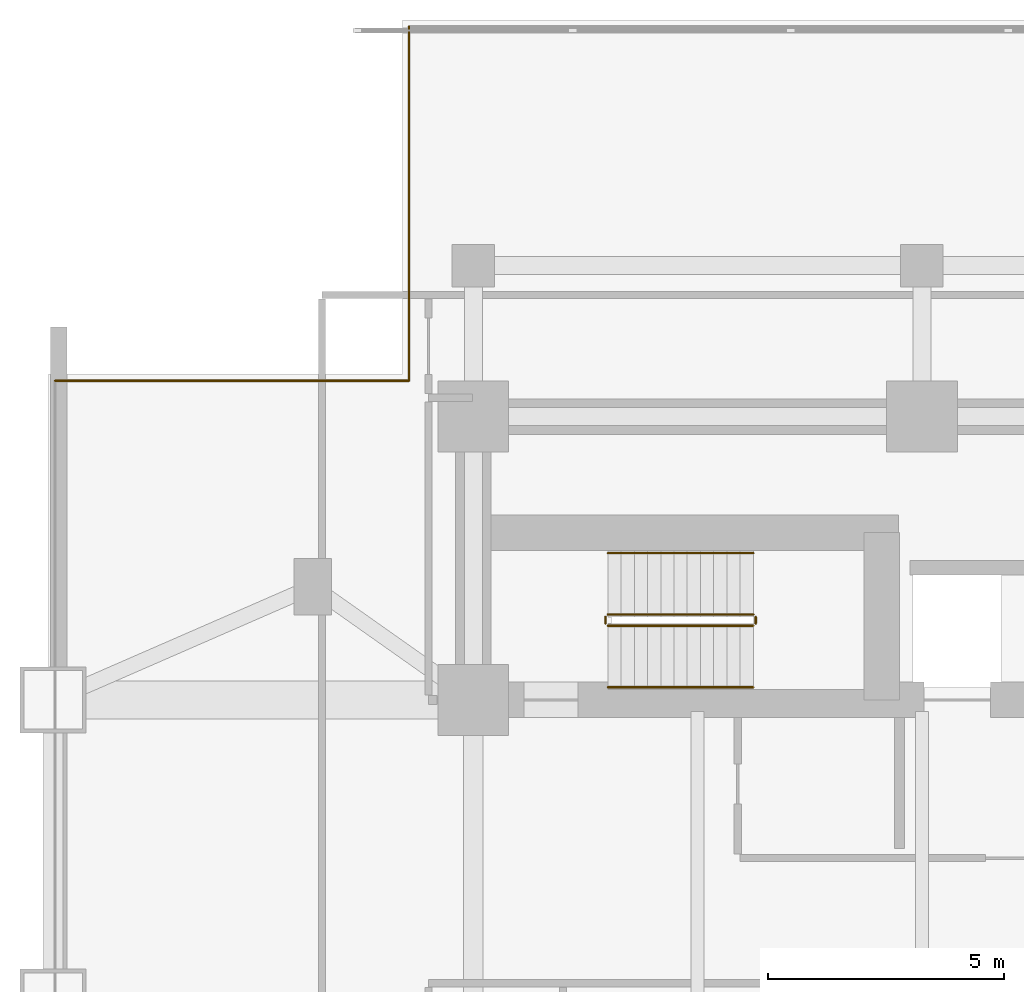
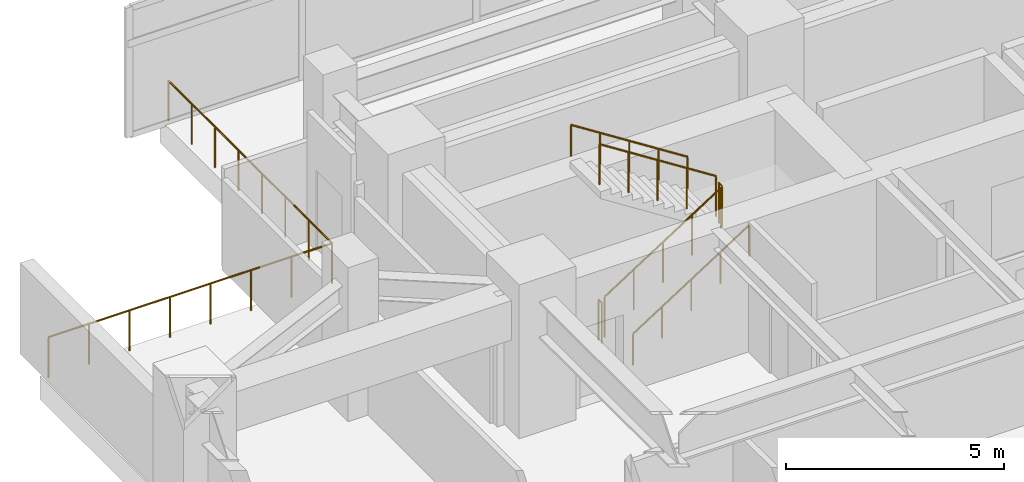
# One storey, part 23 of 27: 8 railings.
"""IFC4 building model written with IfcOpenShell, lengths in metres."""

from ifc_helpers import new_model, si_unit, direction, frame, origin, origin_2d, place, context, subcontext, project, spatial, circle, extrude, material, type_object, element, save


model = new_model("IFC4")

# Units and contexts
model_context = context("Model", 3, precision=1e-05, world=origin(), true_north=direction((0.0, 1.0)))
body_context = subcontext(model_context, "Body", "Model", "MODEL_VIEW")
ifc_project = project(units=[si_unit("LENGTHUNIT", "METRE"), si_unit("AREAUNIT", "SQUARE_METRE"), si_unit("VOLUMEUNIT", "CUBIC_METRE"), si_unit("PLANEANGLEUNIT", "RADIAN"), si_unit("MASSUNIT", "GRAM", prefix="KILO")], contexts=[model_context])

# Site, building, storey
site_placement = place(None, origin())
site = spatial("IfcSite", under=ifc_project, at=site_placement, CompositionType="ELEMENT")
building_placement = place(site_placement, origin())
building = spatial("IfcBuilding", under=site, at=building_placement, Name="Mirazonda Arch Towers", CompositionType="ELEMENT")
storey_placement = place(building_placement, frame((0.0, 0.0, 18.10009765625)))
storey = spatial("IfcBuildingStorey", under=building, at=storey_placement, Name="L04", CompositionType="ELEMENT", Elevation=18.10009765625)

# Railings
ifc_material = material(Name="Architectural Brushed Steel S355", Category="steel")
railing_type_1 = type_object("IfcRailingType", Name="GUARD-EXT-1150", PredefinedType="GUARDRAIL", material=ifc_material)
railing_1_placement = place(storey_placement, frame((9.639892578125, 51.860107421875, 0.0)))
element("IfcRailing", 1, at=railing_1_placement, inside=storey, type_object=railing_type_1, Name="L04 L04 Bridged Podium Perimeter Guard 08", PredefinedType="GUARDRAIL", context=body_context, shape_type="SweptSolid", body=[
    extrude(circle(Radius=0.02392578125, at=origin_2d()), frame((0.0, 0.0, 1.1259765625), z_axis=(0.0, -1.0, 0.0), x_axis=(1.0, 0.0, 0.0)), (0.0, 0.0, 1.0), 7.5),
    extrude(circle(Radius=0.02099609375, at=origin_2d()), origin(), (0.0, 0.0, 1.0), 1.101806640625),
    extrude(circle(Radius=0.02099609375, at=origin_2d()), frame((0.0, -1.071533203125, 0.0)), (0.0, 0.0, 1.0), 1.101806640625),
    extrude(circle(Radius=0.02099609375, at=origin_2d()), frame((0.0, -2.142822265625, 0.0)), (0.0, 0.0, 1.0), 1.101806640625),
    extrude(circle(Radius=0.02099609375, at=origin_2d()), frame((0.0, -3.21435546875, 0.0)), (0.0, 0.0, 1.0), 1.101806640625),
    extrude(circle(Radius=0.02099609375, at=origin_2d()), frame((0.0, -4.28564453125, 0.0)), (0.0, 0.0, 1.0), 1.101806640625),
    extrude(circle(Radius=0.02099609375, at=origin_2d()), frame((0.0, -5.357177734375, 0.0)), (0.0, 0.0, 1.0), 1.101806640625),
    extrude(circle(Radius=0.02099609375, at=origin_2d()), frame((0.0, -6.428466796875, 0.0)), (0.0, 0.0, 1.0), 1.101806640625),
    extrude(circle(Radius=0.02099609375, at=origin_2d()), frame((0.0, -7.5, 0.0)), (0.0, 0.0, 1.0), 1.101806640625),
])
railing_2_placement = place(storey_placement, frame((9.639892578125, 44.360107421875, 0.0)))
element("IfcRailing", 2, at=railing_2_placement, inside=storey, type_object=railing_type_1, Name="L04 L04 Bridged Podium Perimeter Guard 09", PredefinedType="GUARDRAIL", context=body_context, shape_type="SweptSolid", body=[
    extrude(circle(Radius=0.02392578125, at=origin_2d()), frame((0.0, 0.0, 1.1259765625), z_axis=(-1.0, 0.0, 0.0), x_axis=(0.0, -1.0, 0.0)), (0.0, 0.0, 1.0), 7.5),
    extrude(circle(Radius=0.02099609375, at=origin_2d()), origin(), (0.0, 0.0, 1.0), 1.101806640625),
    extrude(circle(Radius=0.02099609375, at=origin_2d()), frame((-1.071533203125, 0.0, 0.0)), (0.0, 0.0, 1.0), 1.101806640625),
    extrude(circle(Radius=0.02099609375, at=origin_2d()), frame((-2.142822265625, 0.0, 0.0)), (0.0, 0.0, 1.0), 1.101806640625),
    extrude(circle(Radius=0.02099609375, at=origin_2d()), frame((-3.21435546875, 0.0, 0.0)), (0.0, 0.0, 1.0), 1.101806640625),
    extrude(circle(Radius=0.02099609375, at=origin_2d()), frame((-4.28564453125, 0.0, 0.0)), (0.0, 0.0, 1.0), 1.101806640625),
    extrude(circle(Radius=0.02099609375, at=origin_2d()), frame((-5.357177734375, 0.0, 0.0)), (0.0, 0.0, 1.0), 1.101806640625),
    extrude(circle(Radius=0.02099609375, at=origin_2d()), frame((-6.428466796875, 0.0, 0.0)), (0.0, 0.0, 1.0), 1.101806640625),
    extrude(circle(Radius=0.02099609375, at=origin_2d()), frame((-7.5, 0.0, 0.0)), (0.0, 0.0, 1.0), 1.101806640625),
])
railing_type_2 = type_object("IfcRailingType", Name="GUARD-STAIR-1120", PredefinedType="GUARDRAIL", material=ifc_material)
railing_3_placement = place(storey_placement, frame((13.85009765625, 39.169921875, 0.178955078125)))
element("IfcRailing", 3, at=railing_3_placement, inside=storey, type_object=railing_type_2, Name="L04 ST-T1N stair guard 1", PredefinedType="GUARDRAIL", context=body_context, shape_type="SweptSolid", body=[
    extrude(circle(Radius=0.02392578125, at=origin_2d()), frame((0.0, 0.0, 1.1259765625), z_axis=(0.842289589211, 0.0, 0.539025275759), x_axis=(0.0, 1.0, 0.0)), (0.0, 0.0, 1.0), 3.656494140625),
    extrude(circle(Radius=0.02099609375, at=origin_2d()), origin(), (0.0, 0.0, 1.0), 1.101806640625),
    extrude(circle(Radius=0.02099609375, at=origin_2d()), frame((0.77001953125, 0.0, 0.49267578125)), (0.0, 0.0, 1.0), 1.101806640625),
    extrude(circle(Radius=0.02099609375, at=origin_2d()), frame((1.5400390625, 0.0, 0.9853515625)), (0.0, 0.0, 1.0), 1.101806640625),
    extrude(circle(Radius=0.02099609375, at=origin_2d()), frame((2.309814453125, 0.0, 1.478271484375)), (0.0, 0.0, 1.0), 1.101806640625),
    extrude(circle(Radius=0.02099609375, at=origin_2d()), frame((3.079833984375, 0.0, 1.970947265625)), (0.0, 0.0, 1.0), 1.101806640625),
])
railing_4_placement = place(storey_placement, frame((16.97998046875, 39.219970703125, 2.14990234375)))
element("IfcRailing", 4, at=railing_4_placement, inside=storey, type_object=railing_type_2, Name="L04 ST-T1N stair guard 2", PredefinedType="GUARDRAIL", context=body_context, shape_type="SweptSolid", body=[
    extrude(circle(Radius=0.02392578125, at=origin_2d()), frame((0.0, 0.0, 1.1259765625), z_axis=(0.0, 1.0, 0.0), x_axis=(-1.0, 0.0, 0.0)), (0.0, 0.0, 1.0), 0.14013671875),
    extrude(circle(Radius=0.02099609375, at=origin_2d()), origin(), (0.0, 0.0, 1.0), 1.101806640625),
    extrude(circle(Radius=0.02099609375, at=origin_2d()), frame((0.0, 0.14013671875, 0.0)), (0.0, 0.0, 1.0), 1.101806640625),
])
railing_5_placement = place(storey_placement, frame((16.929931640625, 39.409912109375, 2.3291015625)))
element("IfcRailing", 5, at=railing_5_placement, inside=storey, type_object=railing_type_2, Name="L04 ST-T1N stair guard 3", PredefinedType="GUARDRAIL", context=body_context, shape_type="SweptSolid", body=[
    extrude(circle(Radius=0.02392578125, at=origin_2d()), frame((0.0, 0.0, 1.1259765625), z_axis=(-0.842319903074, 0.0, 0.538977903893), x_axis=(0.0, -1.0, 0.0)), (0.0, 0.0, 1.0), 3.65625),
    extrude(circle(Radius=0.02099609375, at=origin_2d()), origin(), (0.0, 0.0, 1.0), 1.101806640625),
    extrude(circle(Radius=0.02099609375, at=origin_2d()), frame((-0.77001953125, 0.0, 0.49267578125)), (0.0, 0.0, 1.0), 1.101806640625),
    extrude(circle(Radius=0.02099609375, at=origin_2d()), frame((-1.5400390625, 0.0, 0.9853515625)), (0.0, 0.0, 1.0), 1.101806640625),
    extrude(circle(Radius=0.02099609375, at=origin_2d()), frame((-2.309814453125, 0.0, 1.47802734375)), (0.0, 0.0, 1.0), 1.101806640625),
    extrude(circle(Radius=0.02099609375, at=origin_2d()), frame((-3.079833984375, 0.0, 1.970703125)), (0.0, 0.0, 1.0), 1.101806640625),
])
railing_6_placement = place(storey_placement, frame((13.800048828125, 39.219970703125, 0.0)))
element("IfcRailing", 6, at=railing_6_placement, inside=storey, type_object=railing_type_2, Name="L04 ST-T1N stair guard 4", PredefinedType="GUARDRAIL", context=body_context, shape_type="SweptSolid", body=[
    extrude(circle(Radius=0.02392578125, at=origin_2d()), frame((0.0, 0.0, 1.1259765625), z_axis=(0.0, 1.0, 0.0), x_axis=(-1.0, 0.0, 0.0)), (0.0, 0.0, 1.0), 0.14013671875),
    extrude(circle(Radius=0.02099609375, at=origin_2d()), origin(), (0.0, 0.0, 1.0), 1.101806640625),
    extrude(circle(Radius=0.02099609375, at=origin_2d()), frame((0.0, 0.14013671875, 0.0)), (0.0, 0.0, 1.0), 1.101806640625),
])
railing_type_3 = type_object("IfcRailingType", Name="HANDRAIL-915", PredefinedType="HANDRAIL", material=ifc_material)
railing_7_placement = place(storey_placement, frame((13.85009765625, 37.8701171875, 0.178955078125)))
element("IfcRailing", 7, at=railing_7_placement, inside=storey, type_object=railing_type_3, Name="L04 ST-T1N stair handrail 1", PredefinedType="HANDRAIL", context=body_context, shape_type="SweptSolid", body=[
    extrude(circle(Radius=0.02392578125, at=origin_2d()), frame((0.0, 0.0, 0.8759765625), z_axis=(0.842289589211, 0.0, 0.539025275759), x_axis=(0.0, 1.0, 0.0)), (0.0, 0.0, 1.0), 3.656494140625),
    extrude(circle(Radius=0.02099609375, at=origin_2d()), origin(), (0.0, 0.0, 1.0), 0.851806640625),
    extrude(circle(Radius=0.02099609375, at=origin_2d()), frame((0.77001953125, 0.0, 0.49267578125)), (0.0, 0.0, 1.0), 0.851806640625),
    extrude(circle(Radius=0.02099609375, at=origin_2d()), frame((1.5400390625, 0.0, 0.9853515625)), (0.0, 0.0, 1.0), 0.851806640625),
    extrude(circle(Radius=0.02099609375, at=origin_2d()), frame((2.309814453125, 0.0, 1.478271484375)), (0.0, 0.0, 1.0), 0.851806640625),
    extrude(circle(Radius=0.02099609375, at=origin_2d()), frame((3.079833984375, 0.0, 1.970947265625)), (0.0, 0.0, 1.0), 0.851806640625),
])
railing_8_placement = place(storey_placement, frame((16.929931640625, 40.7099609375, 2.3291015625)))
element("IfcRailing", 8, at=railing_8_placement, inside=storey, type_object=railing_type_3, Name="L04 ST-T1N stair handrail 2", PredefinedType="HANDRAIL", context=body_context, shape_type="SweptSolid", body=[
    extrude(circle(Radius=0.02392578125, at=origin_2d()), frame((0.0, 0.0, 0.8759765625), z_axis=(-0.842319903074, 0.0, 0.538977903893), x_axis=(0.0, -1.0, 0.0)), (0.0, 0.0, 1.0), 3.65625),
    extrude(circle(Radius=0.02099609375, at=origin_2d()), origin(), (0.0, 0.0, 1.0), 0.851806640625),
    extrude(circle(Radius=0.02099609375, at=origin_2d()), frame((-0.77001953125, 0.0, 0.49267578125)), (0.0, 0.0, 1.0), 0.851806640625),
    extrude(circle(Radius=0.02099609375, at=origin_2d()), frame((-1.5400390625, 0.0, 0.9853515625)), (0.0, 0.0, 1.0), 0.851806640625),
    extrude(circle(Radius=0.02099609375, at=origin_2d()), frame((-2.309814453125, 0.0, 1.47802734375)), (0.0, 0.0, 1.0), 0.851806640625),
    extrude(circle(Radius=0.02099609375, at=origin_2d()), frame((-3.079833984375, 0.0, 1.970703125)), (0.0, 0.0, 1.0), 0.851806640625),
])

save(model, "model.ifc")
